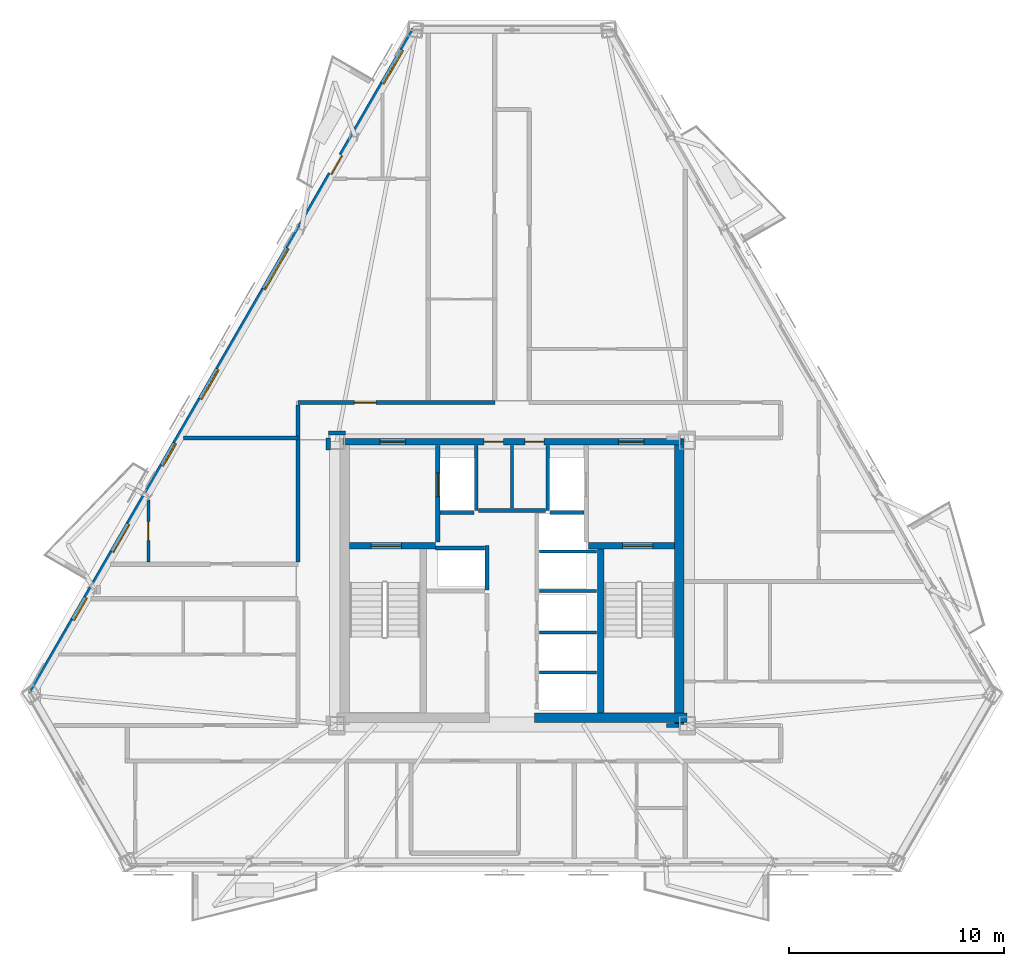
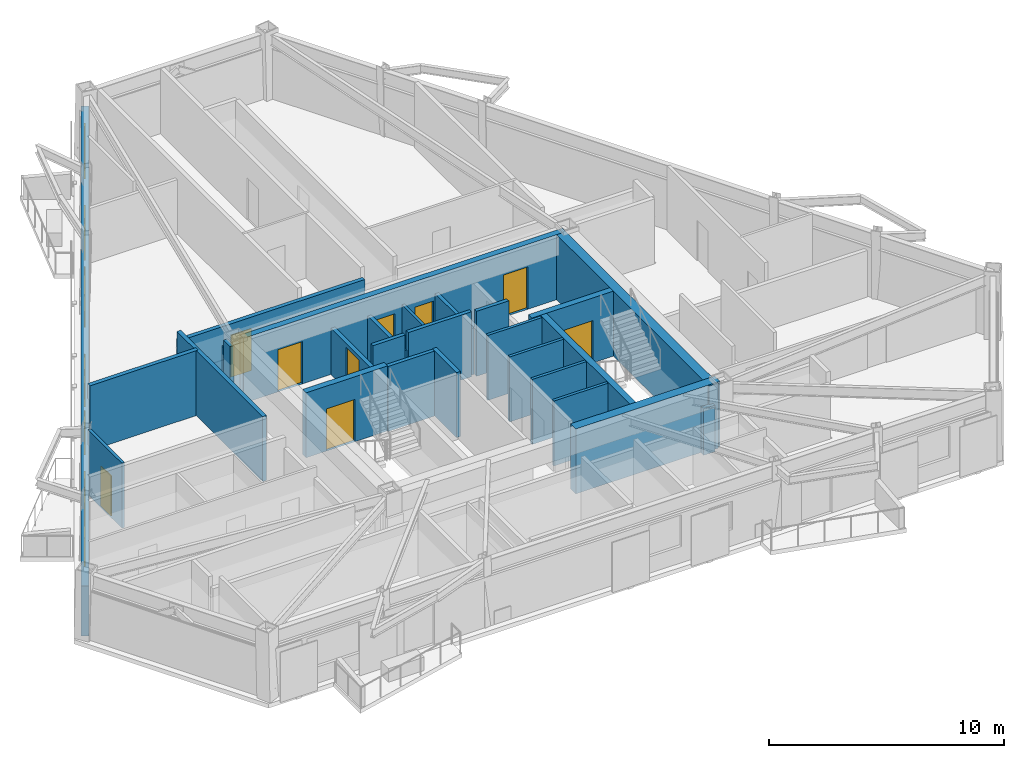
# One storey, part 4 of 9: 27 walls, 11 doors, 5 windows, 16 openings.
"""IFC4 building model written with IfcOpenShell, lengths in metres."""

from ifc_helpers import new_model, si_unit, direction, frame, frame_2d, origin, place, context, subcontext, project, spatial, rectangle, extrude, material, layer, layer_set, type_object, element, fill, save


model = new_model("IFC4")

# Units and contexts
model_context = context("Model", 3, precision=1e-05, world=origin(), true_north=direction((0.0, 1.0)))
body_context = subcontext(model_context, "Body", "Model", "MODEL_VIEW")
ifc_project = project(units=[si_unit("LENGTHUNIT", "METRE"), si_unit("AREAUNIT", "SQUARE_METRE"), si_unit("VOLUMEUNIT", "CUBIC_METRE"), si_unit("PLANEANGLEUNIT", "RADIAN"), si_unit("MASSUNIT", "GRAM", prefix="KILO")], contexts=[model_context])

# Site, building, storey
site_placement = place(None, origin())
site = spatial("IfcSite", under=ifc_project, at=site_placement, CompositionType="ELEMENT")
building_placement = place(site_placement, origin())
building = spatial("IfcBuilding", under=site, at=building_placement, Name="Oramaril Tower", CompositionType="ELEMENT")
storey_placement = place(building_placement, frame((0.0, 0.0, 160.199951171875)))
storey = spatial("IfcBuildingStorey", under=building, at=storey_placement, Name="L42", CompositionType="ELEMENT", Elevation=160.199951171875)

# Wall, openings, doors, windows
ifc_material_1 = material(Name="Warm Cream Limestone", Category="masonry")
ifc_layer_1 = layer(ifc_material_1, 0.340087890625)
ifc_layer_set_1 = layer_set([ifc_layer_1], Name="WT-EXT34")
wall_type_1 = type_object("IfcWallType", Name="WT-EXT34", PredefinedType="SOLIDWALL", material=ifc_layer_set_1)
wall_1_placement = place(storey_placement, frame((32.983154296875, 43.303466796875, 0.0), z_axis=(0.0, 0.0, 1.0), x_axis=(-0.499995364632, -0.866028079999, 0.0)))
wall_1 = element("IfcWall", 1, at=wall_1_placement, inside=storey, type_object=wall_type_1, Name="L42 Tower Limestone Facade Wall 6M", PredefinedType="SOLIDWALL", context=body_context, shape_type="SweptSolid", body=[
    extrude(rectangle(XDim=35.672607421875, YDim=0.340087890625, at=frame_2d((17.83642578125, 0.0))), origin(), (0.0, 0.0, 1.0), 2.60009765625),
])
opening_1_placement = place(wall_1_placement, frame((6.759521484375, 0.0, 0.0)))
opening_1 = element("IfcOpeningElement", 2, at=opening_1_placement, cuts=wall_1, Name="Opening D-L42-BAL-NW1", PredefinedType="OPENING", context=body_context, shape_type="SweptSolid", body=[
    extrude(rectangle(XDim=1.0, YDim=2.179931640625, at=frame_2d((0.5, 1.08984375))), frame((0.0, 0.169921875, 0.0), z_axis=(0.0, -1.0, 0.0), x_axis=(1.0, 0.0, 0.0)), (0.0, 0.0, 1.0), 0.340087890625),
])
opening_2_placement = place(wall_1_placement, frame((26.55810546875, 0.0, 0.0)))
opening_2 = element("IfcOpeningElement", 3, at=opening_2_placement, cuts=wall_1, Name="Opening D-L42-BAL-NW2", PredefinedType="OPENING", context=body_context, shape_type="SweptSolid", body=[
    extrude(rectangle(XDim=1.5, YDim=2.199951171875, at=frame_2d((0.75, 1.10009765625))), frame((0.0, 0.169921875, 0.0), z_axis=(0.0, -1.0, 0.0), x_axis=(1.0, 0.0, 0.0)), (0.0, 0.0, 1.0), 0.340087890625),
])
opening_3_placement = place(wall_1_placement, frame((22.230712890625, 0.0, 0.85009765625)))
opening_3 = element("IfcOpeningElement", 4, at=opening_3_placement, cuts=wall_1, Name="Opening WN-09", PredefinedType="OPENING", context=body_context, shape_type="SweptSolid", body=[
    extrude(rectangle(XDim=1.199951171875, YDim=1.47998046875, at=frame_2d((0.60009765625, 0.739990234375))), frame((0.0, 0.169921875, 0.0), z_axis=(0.0, -1.0, 0.0), x_axis=(1.0, 0.0, 0.0)), (0.0, 0.0, 1.0), 0.340087890625),
])
opening_4_placement = place(wall_1_placement, frame((11.75830078125, 0.0, 0.85009765625)))
opening_4 = element("IfcOpeningElement", 5, at=opening_4_placement, cuts=wall_1, Name="Opening WN-04", PredefinedType="OPENING", context=body_context, shape_type="SweptSolid", body=[
    extrude(rectangle(XDim=2.199951171875, YDim=1.639892578125, at=frame_2d((1.10009765625, 0.81982421875))), frame((0.0, 0.169921875, 0.0), z_axis=(0.0, -1.0, 0.0), x_axis=(1.0, 0.0, 0.0)), (0.0, 0.0, 1.0), 0.340087890625),
])
opening_5_placement = place(wall_1_placement, frame((18.257080078125, 0.0, 0.85009765625)))
opening_5 = element("IfcOpeningElement", 6, at=opening_5_placement, cuts=wall_1, Name="Opening WN-07", PredefinedType="OPENING", context=body_context, shape_type="SweptSolid", body=[
    extrude(rectangle(XDim=1.60009765625, YDim=1.639892578125, at=frame_2d((0.800048828125, 0.81982421875))), frame((0.0, 0.169921875, 0.0), z_axis=(0.0, -1.0, 0.0), x_axis=(1.0, 0.0, 0.0)), (0.0, 0.0, 1.0), 0.340087890625),
])
opening_6_placement = place(wall_1_placement, frame((1.108154296875, 0.0, 0.85009765625)))
opening_6 = element("IfcOpeningElement", 7, at=opening_6_placement, cuts=wall_1, Name="Opening WN-06", PredefinedType="OPENING", context=body_context, shape_type="SweptSolid", body=[
    extrude(rectangle(XDim=1.800048828125, YDim=1.639892578125, at=frame_2d((0.89990234375, 0.81982421875))), frame((0.0, 0.169921875, 0.0), z_axis=(0.0, -1.0, 0.0), x_axis=(1.0, 0.0, 0.0)), (0.0, 0.0, 1.0), 0.340087890625),
])
opening_7_placement = place(wall_1_placement, frame((30.512939453125, 0.0, 0.85009765625)))
opening_7 = element("IfcOpeningElement", 8, at=opening_7_placement, cuts=wall_1, Name="Opening WN-09", PredefinedType="OPENING", context=body_context, shape_type="SweptSolid", body=[
    extrude(rectangle(XDim=1.199951171875, YDim=1.47998046875, at=frame_2d((0.60009765625, 0.739990234375))), frame((0.0, 0.169921875, 0.0), z_axis=(0.0, -1.0, 0.0), x_axis=(1.0, 0.0, 0.0)), (0.0, 0.0, 1.0), 0.340087890625),
])
ifc_material_2 = material(Name="Anodised Aluminium 6063-T6", Category="aluminium")
door_type_1 = type_object("IfcDoorType", Name="DT-BAL", OperationType="NOTDEFINED", PredefinedType="DOOR", material=ifc_material_2)
door_1_placement = place(opening_2_placement, origin())
door_1 = element("IfcDoor", 9, at=door_1_placement, inside=storey, type_object=door_type_1, Name="L42 Balcony Glazed Door L42-BAL-NW2", OperationType="SINGLE_SWING_RIGHT", OverallHeight=2.199951171875, OverallWidth=1.5, PredefinedType="DOOR", context=body_context, shape_type="SweptSolid", body=[
    extrude(rectangle(XDim=1.5, YDim=2.199951171875, at=frame_2d((0.75, 1.10009765625))), frame((0.0, 0.02490234375, 0.0), z_axis=(0.0, -1.0, 0.0), x_axis=(1.0, 0.0, 0.0)), (0.0, 0.0, 1.0), 0.050048828125),
])
fill(opening_2, door_1)
ifc_material_3 = material(Name="Anodised Aluminium 6063-T6", Category="aluminium")
door_type_2 = type_object("IfcDoorType", Name="DT-BALN", OperationType="NOTDEFINED", PredefinedType="DOOR", material=ifc_material_3)
door_2_placement = place(opening_1_placement, origin())
door_2 = element("IfcDoor", 10, at=door_2_placement, inside=storey, type_object=door_type_2, Name="L42 Balcony Glazed Door L42-BAL-NW1", OperationType="SINGLE_SWING_LEFT", OverallHeight=2.179931640625, OverallWidth=1.0, PredefinedType="DOOR", context=body_context, shape_type="SweptSolid", body=[
    extrude(rectangle(XDim=1.0, YDim=2.179931640625, at=frame_2d((0.5, 1.08984375))), frame((0.0, 0.02490234375, 0.0), z_axis=(0.0, -1.0, 0.0), x_axis=(1.0, 0.0, 0.0)), (0.0, 0.0, 1.0), 0.050048828125),
])
fill(opening_1, door_2)
ifc_material_4 = material(Name="Coastal Low-E Insulated Glass", Category="glass")
window_type_1 = type_object("IfcWindowType", Name="WNT-04", PartitioningType="SINGLE_PANEL", PredefinedType="WINDOW", material=ifc_material_4)
window_1_placement = place(opening_4_placement, origin())
window_1 = element("IfcWindow", 11, at=window_1_placement, inside=storey, type_object=window_type_1, Name="L42 Chicago Bay Window WN-04", OverallHeight=1.639892578125, OverallWidth=2.199951171875, PartitioningType="SINGLE_PANEL", PredefinedType="WINDOW", context=body_context, shape_type="SweptSolid", body=[
    extrude(rectangle(XDim=2.199951171875, YDim=1.639892578125, at=frame_2d((1.10009765625, 0.81982421875))), frame((0.0, 0.030029296875, 0.0), z_axis=(0.0, -1.0, 0.0), x_axis=(1.0, 0.0, 0.0)), (0.0, 0.0, 1.0), 0.06005859375),
])
fill(opening_4, window_1)
ifc_material_5 = material(Name="Coastal Low-E Insulated Glass", Category="glass")
window_type_2 = type_object("IfcWindowType", Name="WNT-06", PartitioningType="SINGLE_PANEL", PredefinedType="WINDOW", material=ifc_material_5)
window_2_placement = place(opening_6_placement, origin())
window_2 = element("IfcWindow", 12, at=window_2_placement, inside=storey, type_object=window_type_2, Name="L42 Chicago Bay Window WN-06", OverallHeight=1.639892578125, OverallWidth=1.800048828125, PartitioningType="SINGLE_PANEL", PredefinedType="WINDOW", context=body_context, shape_type="SweptSolid", body=[
    extrude(rectangle(XDim=1.800048828125, YDim=1.639892578125, at=frame_2d((0.89990234375, 0.81982421875))), frame((0.0, 0.030029296875, 0.0), z_axis=(0.0, -1.0, 0.0), x_axis=(1.0, 0.0, 0.0)), (0.0, 0.0, 1.0), 0.06005859375),
])
fill(opening_6, window_2)
ifc_material_6 = material(Name="Coastal Low-E Insulated Glass", Category="glass")
window_type_3 = type_object("IfcWindowType", Name="WNT-07", PartitioningType="SINGLE_PANEL", PredefinedType="WINDOW", material=ifc_material_6)
window_3_placement = place(opening_5_placement, origin())
window_3 = element("IfcWindow", 13, at=window_3_placement, inside=storey, type_object=window_type_3, Name="L42 Chicago Bay Window WN-07", OverallHeight=1.639892578125, OverallWidth=1.60009765625, PartitioningType="SINGLE_PANEL", PredefinedType="WINDOW", context=body_context, shape_type="SweptSolid", body=[
    extrude(rectangle(XDim=1.60009765625, YDim=1.639892578125, at=frame_2d((0.800048828125, 0.81982421875))), frame((0.0, 0.030029296875, 0.0), z_axis=(0.0, -1.0, 0.0), x_axis=(1.0, 0.0, 0.0)), (0.0, 0.0, 1.0), 0.06005859375),
])
fill(opening_5, window_3)
ifc_material_7 = material(Name="Coastal Low-E Insulated Glass", Category="glass")
window_type_4 = type_object("IfcWindowType", Name="WNT-09", PartitioningType="SINGLE_PANEL", PredefinedType="WINDOW", material=ifc_material_7)
window_4_placement = place(opening_3_placement, origin())
window_4 = element("IfcWindow", 14, at=window_4_placement, inside=storey, type_object=window_type_4, Name="L42 Chicago Bay Window WN-09", OverallHeight=1.47998046875, OverallWidth=1.199951171875, PartitioningType="SINGLE_PANEL", PredefinedType="WINDOW", context=body_context, shape_type="SweptSolid", body=[
    extrude(rectangle(XDim=1.199951171875, YDim=1.47998046875, at=frame_2d((0.60009765625, 0.739990234375))), frame((0.0, 0.030029296875, 0.0), z_axis=(0.0, -1.0, 0.0), x_axis=(1.0, 0.0, 0.0)), (0.0, 0.0, 1.0), 0.06005859375),
])
fill(opening_3, window_4)
window_5_placement = place(opening_7_placement, origin())
window_5 = element("IfcWindow", 15, at=window_5_placement, inside=storey, type_object=window_type_4, Name="L42 Apartment Bedroom Window WN-09", OverallHeight=1.47998046875, OverallWidth=1.199951171875, PartitioningType="SINGLE_PANEL", PredefinedType="WINDOW", context=body_context, shape_type="SweptSolid", body=[
    extrude(rectangle(XDim=1.199951171875, YDim=1.47998046875, at=frame_2d((0.60009765625, 0.739990234375))), frame((0.0, 0.030029296875, 0.0), z_axis=(0.0, -1.0, 0.0), x_axis=(1.0, 0.0, 0.0)), (0.0, 0.0, 1.0), 0.06005859375),
])
fill(opening_7, window_5)

# Walls
ifc_material_8 = material(Name="Acoustic Gypsum Board Partition")
ifc_layer_2 = layer(ifc_material_8, 0.139892578125)
ifc_layer_set_2 = layer_set([ifc_layer_2], Name="WT-PT14")
wall_type_2 = type_object("IfcWallType", Name="WT-PT14", PredefinedType="PARTITIONING", material=ifc_layer_set_2)
for number, where, z_axis, x_axis, name in (
    (16, (38.780029296875, 13.419921875, 0.0), (0.0, 0.0, 1.0), (1.0, 0.0, 0.0), "L42 East Lift Divider"),
    (17, (38.780029296875, 15.27001953125, 0.0), (0.0, 0.0, 1.0), (1.0, 0.0, 0.0), "L42 East Lift Divider"),
    (18, (38.780029296875, 17.199951171875, 0.0), (0.0, 0.0, 1.0), (1.0, 0.0, 0.0), "L42 East Lift Divider"),
    (19, (38.780029296875, 19.050048828125, 0.0), (0.0, 0.0, 1.0), (1.0, 0.0, 0.0), "L42 East Lift Divider"),
):
    element("IfcWall", number, at=place(storey_placement, frame(where, z_axis=z_axis, x_axis=x_axis)), inside=storey, type_object=wall_type_2, Name=name, PredefinedType="PARTITIONING", context=body_context, shape_type="SweptSolid", body=[
        extrude(rectangle(XDim=2.659912109375, YDim=0.139892578125, at=frame_2d((1.330078125, 0.0))), origin(), (0.0, 0.0, 1.0), 3.380126953125),
    ])
wall_2_placement = place(storey_placement, frame((37.5, 21.06005859375, 0.0), z_axis=(0.0, 0.0, 1.0), x_axis=(0.0, 1.0, 0.0)))
element("IfcWall", 20, at=wall_2_placement, inside=storey, type_object=wall_type_2, Name="L42 Core Service Divider", PredefinedType="PARTITIONING", context=body_context, shape_type="SweptSolid", body=[
    extrude(rectangle(XDim=2.919921875, YDim=0.139892578125, at=frame_2d((1.4599609375, 0.0))), origin(), (0.0, 0.0, 1.0), 2.420166015625),
])

# Wall, opening, door
wall_3_placement = place(storey_placement, frame((20.590087890625, 18.553955078125, 0.0), z_axis=(0.0, 0.0, 1.0), x_axis=(0.0, 1.0, 0.0)))
wall_3 = element("IfcWall", 21, at=wall_3_placement, inside=storey, type_object=wall_type_2, Name="L42 Interior Partition PT-14", PredefinedType="PARTITIONING", context=body_context, shape_type="SweptSolid", body=[
    extrude(rectangle(XDim=2.885009765625, YDim=0.139892578125, at=frame_2d((1.4423828125, 0.0))), origin(), (0.0, 0.0, 1.0), 3.380126953125),
])
opening_8_placement = place(wall_3_placement, frame((1.002685546875, 0.0, 0.0)))
opening_8 = element("IfcOpeningElement", 22, at=opening_8_placement, cuts=wall_3, Name="Opening D-L42-21", PredefinedType="OPENING", context=body_context, shape_type="SweptSolid", body=[
    extrude(rectangle(XDim=0.8798828125, YDim=2.080078125, at=frame_2d((0.43994140625, 1.0400390625))), frame((0.0, 0.06982421875, 0.0), z_axis=(0.0, -1.0, 0.0), x_axis=(1.0, 0.0, 0.0)), (0.0, 0.0, 1.0), 0.139892578125),
])
ifc_material_9 = material(Name="FSC Brazilian Freijo Hardwood", Category="wood")
door_type_3 = type_object("IfcDoorType", Name="DT-BATH", OperationType="NOTDEFINED", PredefinedType="DOOR", material=ifc_material_9)
door_3_placement = place(opening_8_placement, origin())
door_3 = element("IfcDoor", 23, at=door_3_placement, inside=storey, type_object=door_type_3, Name="L42 Flat L42-U5 Bathroom Door D-L42-21", OperationType="SINGLE_SWING_LEFT", OverallHeight=2.080078125, OverallWidth=0.8798828125, PredefinedType="DOOR", context=body_context, shape_type="SweptSolid", body=[
    extrude(rectangle(XDim=0.8798828125, YDim=2.080078125, at=frame_2d((0.43994140625, 1.0400390625))), frame((0.0, 0.02490234375, 0.0), z_axis=(0.0, -1.0, 0.0), x_axis=(1.0, 0.0, 0.0)), (0.0, 0.0, 1.0), 0.050048828125),
])
fill(opening_8, door_3)

# Walls
ifc_material_10 = material(Name="Autoclaved Cellular Concrete Block", Category="concrete")
ifc_layer_3 = layer(ifc_material_10, 0.179931640625)
ifc_layer_set_3 = layer_set([ifc_layer_3], Name="WT-PT18")
wall_type_3 = type_object("IfcWallType", Name="WT-PT18", PredefinedType="PARTITIONING", material=ifc_layer_set_3)
wall_4_placement = place(storey_placement, frame((35.840087890625, 20.9599609375, 0.0), z_axis=(0.0, 0.0, 1.0), x_axis=(0.0, 1.0, 0.0)))
element("IfcWall", 24, at=wall_4_placement, inside=storey, type_object=wall_type_3, Name="L42 FL-1 East Shaft Wall", PredefinedType="PARTITIONING", context=body_context, shape_type="SweptSolid", body=[
    extrude(rectangle(XDim=3.02001953125, YDim=0.179931640625, at=frame_2d((1.510009765625, 0.0))), origin(), (0.0, 0.0, 1.0), 2.420166015625),
])
wall_5_placement = place(storey_placement, frame((34.159912109375, 20.860107421875, 0.0), z_axis=(0.0, 0.0, 1.0), x_axis=(1.0, 0.0, 0.0)))
element("IfcWall", 25, at=wall_5_placement, inside=storey, type_object=wall_type_3, Name="L42 FL-1 South Shaft Wall", PredefinedType="PARTITIONING", context=body_context, shape_type="SweptSolid", body=[
    extrude(rectangle(XDim=1.580078125, YDim=0.179931640625, at=frame_2d((0.7900390625, 0.0))), origin(), (0.0, 0.0, 1.0), 3.380126953125),
])
wall_6_placement = place(storey_placement, frame((39.159912109375, 20.9599609375, 0.0), z_axis=(0.0, 0.0, 1.0), x_axis=(0.0, 1.0, 0.0)))
element("IfcWall", 26, at=wall_6_placement, inside=storey, type_object=wall_type_3, Name="L42 FL-2 West Shaft Wall", PredefinedType="PARTITIONING", context=body_context, shape_type="SweptSolid", body=[
    extrude(rectangle(XDim=3.02001953125, YDim=0.179931640625, at=frame_2d((1.510009765625, 0.0))), origin(), (0.0, 0.0, 1.0), 2.420166015625),
])
wall_7_placement = place(storey_placement, frame((39.260009765625, 20.860107421875, 0.0), z_axis=(0.0, 0.0, 1.0), x_axis=(1.0, 0.0, 0.0)))
element("IfcWall", 27, at=wall_7_placement, inside=storey, type_object=wall_type_3, Name="L42 FL-2 South Shaft Wall", PredefinedType="PARTITIONING", context=body_context, shape_type="SweptSolid", body=[
    extrude(rectangle(XDim=1.580078125, YDim=0.179931640625, at=frame_2d((0.7900390625, 0.0))), origin(), (0.0, 0.0, 1.0), 3.380126953125),
])
wall_8_placement = place(storey_placement, frame((33.949951171875, 19.199951171875, 0.0), z_axis=(0.0, 0.0, 1.0), x_axis=(1.0, 0.0, 0.0)))
element("IfcWall", 28, at=wall_8_placement, inside=storey, type_object=wall_type_3, Name="L42 High-Rise Lift H1 North Shaft Wall", PredefinedType="PARTITIONING", context=body_context, shape_type="SweptSolid", body=[
    extrude(rectangle(XDim=2.27001953125, YDim=0.179931640625, at=frame_2d((1.135009765625, 0.0))), origin(), (0.0, 0.0, 1.0), 3.380126953125),
])
wall_9_placement = place(storey_placement, frame((35.949951171875, 20.949951171875, 0.0), z_axis=(0.0, 0.0, 1.0), x_axis=(1.0, 0.0, 0.0)))
element("IfcWall", 29, at=wall_9_placement, inside=storey, type_object=wall_type_3, Name="L42 Lift Lobby North Partition", PredefinedType="PARTITIONING", context=body_context, shape_type="SweptSolid", body=[
    extrude(rectangle(XDim=3.10009765625, YDim=0.179931640625, at=frame_2d((1.550048828125, 0.0))), origin(), (0.0, 0.0, 1.0), 3.380126953125),
])
ifc_material_11 = material(Name="Autoclaved Cellular Concrete Block", Category="concrete")
ifc_layer_4 = layer(ifc_material_11, 0.199951171875)
ifc_layer_set_4 = layer_set([ifc_layer_4], Name="WT-PT20")
wall_type_4 = type_object("IfcWallType", Name="WT-PT20", PredefinedType="PARTITIONING", material=ifc_layer_set_4)
wall_10_placement = place(storey_placement, frame((44.695068359375, 10.949951171875, 0.0), z_axis=(0.0, 0.0, 1.0), x_axis=(1.0, 0.0, 0.0)))
element("IfcWall", 30, at=wall_10_placement, inside=storey, type_object=wall_type_4, Name="L42 Interior Partition PT-20", PredefinedType="PARTITIONING", context=body_context, shape_type="SweptSolid", body=[
    extrude(rectangle(XDim=0.56494140625, YDim=0.199951171875, at=frame_2d((0.282470703125, 0.0))), origin(), (0.0, 0.0, 1.0), 2.420166015625),
])
wall_11_placement = place(storey_placement, frame((22.22412109375, 24.320068359375, 0.0), z_axis=(0.0, 0.0, 1.0), x_axis=(1.0, 0.0, 0.0)))
element("IfcWall", 31, at=wall_11_placement, inside=storey, type_object=wall_type_4, Name="L42 Interior Partition PT-20", PredefinedType="PARTITIONING", context=body_context, shape_type="SweptSolid", body=[
    extrude(rectangle(XDim=5.325927734375, YDim=0.199951171875, at=frame_2d((2.6630859375, 0.0))), origin(), (0.0, 0.0, 1.0), 3.380126953125),
])
wall_12_placement = place(storey_placement, frame((28.955078125, 24.550048828125, 0.0), z_axis=(0.0, 0.0, 1.0), x_axis=(1.0, 0.0, 0.0)))
element("IfcWall", 32, at=wall_12_placement, inside=storey, type_object=wall_type_4, Name="L42 Interior Partition PT-20", PredefinedType="PARTITIONING", context=body_context, shape_type="SweptSolid", body=[
    extrude(rectangle(XDim=0.7900390625, YDim=0.199951171875, at=frame_2d((0.39501953125, 0.0))), origin(), (0.0, 0.0, 1.0), 2.842041015625),
])

# Wall, opening, door
wall_13_placement = place(storey_placement, frame((27.550048828125, 25.969970703125, 0.0), z_axis=(0.0, 0.0, 1.0), x_axis=(1.0, 0.0, 0.0)))
wall_13 = element("IfcWall", 33, at=wall_13_placement, inside=storey, type_object=wall_type_4, Name="L42 Interior Partition PT-20", PredefinedType="PARTITIONING", context=body_context, shape_type="SweptSolid", body=[
    extrude(rectangle(XDim=9.14990234375, YDim=0.199951171875, at=frame_2d((4.574951171875, 0.0))), origin(), (0.0, 0.0, 1.0), 2.842041015625),
])
opening_9_placement = place(wall_13_placement, frame((2.618896484375, 0.0, 0.0)))
opening_9 = element("IfcOpeningElement", 34, at=opening_9_placement, cuts=wall_13, Name="Opening D-L42-14", PredefinedType="OPENING", context=body_context, shape_type="SweptSolid", body=[
    extrude(rectangle(XDim=1.0, YDim=2.179931640625, at=frame_2d((0.5, 1.08984375))), frame((0.0, 0.10009765625, 0.0), z_axis=(0.0, -1.0, 0.0), x_axis=(1.0, 0.0, 0.0)), (0.0, 0.0, 1.0), 0.199951171875),
])
ifc_material_12 = material(Name="FSC Brazilian Freijo Hardwood", Category="wood")
door_type_4 = type_object("IfcDoorType", Name="DT-APT", OperationType="NOTDEFINED", PredefinedType="DOOR", material=ifc_material_12)
door_4_placement = place(opening_9_placement, origin())
door_4 = element("IfcDoor", 35, at=door_4_placement, inside=storey, type_object=door_type_4, Name="L42 Flat L42-U8 Studio Apartment Door D-L42-14", OperationType="SINGLE_SWING_RIGHT", OverallHeight=2.179931640625, OverallWidth=1.0, PredefinedType="DOOR", context=body_context, shape_type="SweptSolid", body=[
    extrude(rectangle(XDim=1.0, YDim=2.179931640625, at=frame_2d((0.5, 1.08984375))), frame((0.0, 0.02490234375, 0.0), z_axis=(0.0, -1.0, 0.0), x_axis=(1.0, 0.0, 0.0)), (0.0, 0.0, 1.0), 0.050048828125),
])
fill(opening_9, door_4)

# Walls
wall_14_placement = place(storey_placement, frame((27.550048828125, 18.553955078125, 0.0), z_axis=(0.0, 0.0, 1.0), x_axis=(0.0, 1.0, 0.0)))
element("IfcWall", 36, at=wall_14_placement, inside=storey, type_object=wall_type_4, Name="L42 Interior Partition PT-20", PredefinedType="PARTITIONING", context=body_context, shape_type="SweptSolid", body=[
    extrude(rectangle(XDim=7.31201171875, YDim=0.199951171875, at=frame_2d((3.656005859375, 0.0))), origin(), (0.0, 0.0, 1.0), 3.380126953125),
])
wall_15_placement = place(storey_placement, frame((28.949951171875, 23.7548828125, 0.0), z_axis=(0.0, 0.0, 1.0), x_axis=(0.0, 1.0, 0.0)))
element("IfcWall", 37, at=wall_15_placement, inside=storey, type_object=wall_type_4, Name="L42 Interior Partition PT-20", PredefinedType="PARTITIONING", context=body_context, shape_type="SweptSolid", body=[
    extrude(rectangle(XDim=0.565185546875, YDim=0.199951171875, at=frame_2d((0.28271484375, 0.0))), origin(), (0.0, 0.0, 1.0), 3.380126953125),
])

# Wall, openings, doors
ifc_material_13 = material(Name="Concrete C50/60", Category="concrete")
ifc_layer_5 = layer(ifc_material_13, 0.300048828125)
ifc_layer_set_5 = layer_set([ifc_layer_5], Name="WT-SH30")
wall_type_5 = type_object("IfcWallType", Name="WT-SH30", PredefinedType="SHEAR", material=ifc_layer_set_5)
wall_16_placement = place(storey_placement, frame((29.64990234375, 24.14990234375, 0.0), z_axis=(0.0, 0.0, 1.0), x_axis=(1.0, 0.0, 0.0)))
wall_16 = element("IfcWall", 38, at=wall_16_placement, inside=storey, type_object=wall_type_5, Name="L42 Core Shear Wall CW-N", PredefinedType="SHEAR", context=body_context, shape_type="SweptSolid", body=[
    extrude(rectangle(XDim=15.7001953125, YDim=0.300048828125, at=frame_2d((7.85009765625, 0.0))), origin(), (0.0, 0.0, 1.0), 3.380126953125),
])
opening_10_placement = place(wall_16_placement, frame((1.699951171875, 0.0, 0.0)))
opening_10 = element("IfcOpeningElement", 39, at=opening_10_placement, cuts=wall_16, Name="Opening D-L42-FFL1", PredefinedType="OPENING", context=body_context, shape_type="SweptSolid", body=[
    extrude(rectangle(XDim=1.199951171875, YDim=2.199951171875, at=frame_2d((0.60009765625, 1.10009765625))), frame((0.0, 0.14990234375, 0.0), z_axis=(0.0, -1.0, 0.0), x_axis=(1.0, 0.0, 0.0)), (0.0, 0.0, 1.0), 0.300048828125),
])
opening_11_placement = place(wall_16_placement, frame((12.800048828125, 0.0, 0.0)))
opening_11 = element("IfcOpeningElement", 40, at=opening_11_placement, cuts=wall_16, Name="Opening D-L42-FFL2", PredefinedType="OPENING", context=body_context, shape_type="SweptSolid", body=[
    extrude(rectangle(XDim=1.199951171875, YDim=2.199951171875, at=frame_2d((0.60009765625, 1.10009765625))), frame((0.0, 0.14990234375, 0.0), z_axis=(0.0, -1.0, 0.0), x_axis=(1.0, 0.0, 0.0)), (0.0, 0.0, 1.0), 0.300048828125),
])
opening_12_placement = place(wall_16_placement, frame((6.550048828125, 0.0, 0.0)))
opening_12 = element("IfcOpeningElement", 41, at=opening_12_placement, cuts=wall_16, Name="Opening D-L42-SV1", PredefinedType="OPENING", context=body_context, shape_type="SweptSolid", body=[
    extrude(rectangle(XDim=0.89990234375, YDim=2.050048828125, at=frame_2d((0.449951171875, 1.02490234375))), frame((0.0, 0.14990234375, 0.0), z_axis=(0.0, -1.0, 0.0), x_axis=(1.0, 0.0, 0.0)), (0.0, 0.0, 1.0), 0.300048828125),
])
opening_13_placement = place(wall_16_placement, frame((8.449951171875, 0.0, 0.0)))
opening_13 = element("IfcOpeningElement", 42, at=opening_13_placement, cuts=wall_16, Name="Opening D-L42-SV2", PredefinedType="OPENING", context=body_context, shape_type="SweptSolid", body=[
    extrude(rectangle(XDim=0.89990234375, YDim=2.050048828125, at=frame_2d((0.449951171875, 1.02490234375))), frame((0.0, 0.14990234375, 0.0), z_axis=(0.0, -1.0, 0.0), x_axis=(1.0, 0.0, 0.0)), (0.0, 0.0, 1.0), 0.300048828125),
])
ifc_material_14 = material(Name="Painted Galvanised Steel", Category="steel")
door_type_5 = type_object("IfcDoorType", Name="DT-FFL", OperationType="NOTDEFINED", PredefinedType="DOOR", material=ifc_material_14)
door_5_placement = place(opening_10_placement, origin())
door_5 = element("IfcDoor", 43, at=door_5_placement, inside=storey, type_object=door_type_5, Name="L42 Firefighting Lobby 1 Fire Door", OperationType="SINGLE_SWING_LEFT", OverallHeight=2.199951171875, OverallWidth=1.199951171875, PredefinedType="DOOR", context=body_context, shape_type="SweptSolid", body=[
    extrude(rectangle(XDim=1.199951171875, YDim=2.199951171875, at=frame_2d((0.60009765625, 1.10009765625))), frame((0.0, 0.02490234375, 0.0), z_axis=(0.0, -1.0, 0.0), x_axis=(1.0, 0.0, 0.0)), (0.0, 0.0, 1.0), 0.050048828125),
])
fill(opening_10, door_5)
door_6_placement = place(opening_11_placement, origin())
door_6 = element("IfcDoor", 44, at=door_6_placement, inside=storey, type_object=door_type_5, Name="L42 Firefighting Lobby 2 Fire Door", OperationType="SINGLE_SWING_RIGHT", OverallHeight=2.199951171875, OverallWidth=1.199951171875, PredefinedType="DOOR", context=body_context, shape_type="SweptSolid", body=[
    extrude(rectangle(XDim=1.199951171875, YDim=2.199951171875, at=frame_2d((0.60009765625, 1.10009765625))), frame((0.0, 0.02490234375, 0.0), z_axis=(0.0, -1.0, 0.0), x_axis=(1.0, 0.0, 0.0)), (0.0, 0.0, 1.0), 0.050048828125),
])
fill(opening_11, door_6)
ifc_material_15 = material(Name="Painted Galvanised Steel", Category="steel")
door_type_6 = type_object("IfcDoorType", Name="DT-SVC", OperationType="NOTDEFINED", PredefinedType="DOOR", material=ifc_material_15)
door_7_placement = place(opening_12_placement, origin())
door_7 = element("IfcDoor", 45, at=door_7_placement, inside=storey, type_object=door_type_6, Name="L42 Core Service Store 1 Door", OperationType="SINGLE_SWING_LEFT", OverallHeight=2.050048828125, OverallWidth=0.89990234375, PredefinedType="DOOR", context=body_context, shape_type="SweptSolid", body=[
    extrude(rectangle(XDim=0.89990234375, YDim=2.050048828125, at=frame_2d((0.449951171875, 1.02490234375))), frame((0.0, 0.02490234375, 0.0), z_axis=(0.0, -1.0, 0.0), x_axis=(1.0, 0.0, 0.0)), (0.0, 0.0, 1.0), 0.050048828125),
])
fill(opening_12, door_7)
door_8_placement = place(opening_13_placement, origin())
door_8 = element("IfcDoor", 46, at=door_8_placement, inside=storey, type_object=door_type_6, Name="L42 Core Service Store 2 Door", OperationType="SINGLE_SWING_RIGHT", OverallHeight=2.050048828125, OverallWidth=0.89990234375, PredefinedType="DOOR", context=body_context, shape_type="SweptSolid", body=[
    extrude(rectangle(XDim=0.89990234375, YDim=2.050048828125, at=frame_2d((0.449951171875, 1.02490234375))), frame((0.0, 0.02490234375, 0.0), z_axis=(0.0, -1.0, 0.0), x_axis=(1.0, 0.0, 0.0)), (0.0, 0.0, 1.0), 0.050048828125),
])
fill(opening_13, door_8)

# Wall, opening, door
wall_17_placement = place(storey_placement, frame((29.93994140625, 19.31005859375, 0.0), z_axis=(0.0, 0.0, 1.0), x_axis=(1.0, 0.0, 0.0)))
wall_17 = element("IfcWall", 47, at=wall_17_placement, inside=storey, type_object=wall_type_5, Name="L42 Core Shear Wall CW-ST1N", PredefinedType="SHEAR", context=body_context, shape_type="SweptSolid", body=[
    extrude(rectangle(XDim=4.010009765625, YDim=0.300048828125, at=frame_2d((2.0048828125, 0.0))), origin(), (0.0, 0.0, 1.0), 3.380126953125),
])
opening_14_placement = place(wall_17_placement, frame((1.010009765625, 0.0, 0.0)))
opening_14 = element("IfcOpeningElement", 48, at=opening_14_placement, cuts=wall_17, Name="Opening D-L42-ST1", PredefinedType="OPENING", context=body_context, shape_type="SweptSolid", body=[
    extrude(rectangle(XDim=1.39990234375, YDim=2.199951171875, at=frame_2d((0.699951171875, 1.10009765625))), frame((0.0, 0.14990234375, 0.0), z_axis=(0.0, -1.0, 0.0), x_axis=(1.0, 0.0, 0.0)), (0.0, 0.0, 1.0), 0.300048828125),
])
ifc_material_16 = material(Name="Painted Galvanised Steel", Category="steel")
door_type_7 = type_object("IfcDoorType", Name="DT-ST", OperationType="NOTDEFINED", PredefinedType="DOOR", material=ifc_material_16)
door_9_placement = place(opening_14_placement, origin())
door_9 = element("IfcDoor", 49, at=door_9_placement, inside=storey, type_object=door_type_7, Name="L42 Protected Stair ST-1 Fire Door", OperationType="SINGLE_SWING_LEFT", OverallHeight=2.199951171875, OverallWidth=1.39990234375, PredefinedType="DOOR", context=body_context, shape_type="SweptSolid", body=[
    extrude(rectangle(XDim=1.39990234375, YDim=2.199951171875, at=frame_2d((0.699951171875, 1.10009765625))), frame((0.0, 0.02490234375, 0.0), z_axis=(0.0, -1.0, 0.0), x_axis=(1.0, 0.0, 0.0)), (0.0, 0.0, 1.0), 0.050048828125),
])
fill(opening_14, door_9)

wall_18_placement = place(storey_placement, frame((41.050048828125, 19.31005859375, 0.0), z_axis=(0.0, 0.0, 1.0), x_axis=(1.0, 0.0, 0.0)))
wall_18 = element("IfcWall", 50, at=wall_18_placement, inside=storey, type_object=wall_type_5, Name="L42 Core Shear Wall CW-ST2N", PredefinedType="SHEAR", context=body_context, shape_type="SweptSolid", body=[
    extrude(rectangle(XDim=4.010009765625, YDim=0.300048828125, at=frame_2d((2.0048828125, 0.0))), origin(), (0.0, 0.0, 1.0), 3.380126953125),
])
opening_15_placement = place(wall_18_placement, frame((1.60009765625, 0.0, 0.0)))
opening_15 = element("IfcOpeningElement", 51, at=opening_15_placement, cuts=wall_18, Name="Opening D-L42-ST2", PredefinedType="OPENING", context=body_context, shape_type="SweptSolid", body=[
    extrude(rectangle(XDim=1.39990234375, YDim=2.199951171875, at=frame_2d((0.699951171875, 1.10009765625))), frame((0.0, 0.14990234375, 0.0), z_axis=(0.0, -1.0, 0.0), x_axis=(1.0, 0.0, 0.0)), (0.0, 0.0, 1.0), 0.300048828125),
])
door_10_placement = place(opening_15_placement, origin())
door_10 = element("IfcDoor", 52, at=door_10_placement, inside=storey, type_object=door_type_7, Name="L42 Protected Stair ST-2 Fire Door", OperationType="SINGLE_SWING_RIGHT", OverallHeight=2.199951171875, OverallWidth=1.39990234375, PredefinedType="DOOR", context=body_context, shape_type="SweptSolid", body=[
    extrude(rectangle(XDim=1.39990234375, YDim=2.199951171875, at=frame_2d((0.699951171875, 1.10009765625))), frame((0.0, 0.02490234375, 0.0), z_axis=(0.0, -1.0, 0.0), x_axis=(1.0, 0.0, 0.0)), (0.0, 0.0, 1.0), 0.050048828125),
])
fill(opening_15, door_10)

# Walls
wall_19_placement = place(storey_placement, frame((41.6201171875, 11.5400390625, 0.0), z_axis=(0.0, 0.0, 1.0), x_axis=(0.0, 1.0, 0.0)))
element("IfcWall", 53, at=wall_19_placement, inside=storey, type_object=wall_type_5, Name="L42 Core Shear Wall CW-ST2W", PredefinedType="SHEAR", context=body_context, shape_type="SweptSolid", body=[
    extrude(rectangle(XDim=7.619873046875, YDim=0.300048828125, at=frame_2d((3.81005859375, 0.0))), origin(), (0.0, 0.0, 1.0), 3.380126953125),
])
ifc_material_17 = material(Name="Concrete C50/60", Category="concrete")
ifc_layer_6 = layer(ifc_material_17, 0.449951171875)
ifc_layer_set_6 = layer_set([ifc_layer_6], Name="WT-SH45")
wall_type_6 = type_object("IfcWallType", Name="WT-SH45", PredefinedType="SHEAR", material=ifc_layer_set_6)
wall_20_placement = place(storey_placement, frame((45.284912109375, 11.0, 0.0), z_axis=(0.0, 0.0, 1.0), x_axis=(0.0, 1.0, 0.0)))
element("IfcWall", 54, at=wall_20_placement, inside=storey, type_object=wall_type_6, Name="L42 Core Shear Wall CW-E", PredefinedType="SHEAR", context=body_context, shape_type="SweptSolid", body=[
    extrude(rectangle(XDim=13.300048828125, YDim=0.449951171875, at=frame_2d((6.64990234375, 0.0))), origin(), (0.0, 0.0, 1.0), 3.380126953125),
])
wall_21_placement = place(storey_placement, frame((38.550048828125, 11.31494140625, 0.0), z_axis=(0.0, 0.0, 1.0), x_axis=(1.0, 0.0, 0.0)))
element("IfcWall", 55, at=wall_21_placement, inside=storey, type_object=wall_type_6, Name="L42 Core Shear Wall CW-SE", PredefinedType="SHEAR", context=body_context, shape_type="SweptSolid", body=[
    extrude(rectangle(XDim=7.099853515625, YDim=0.449951171875, at=frame_2d((3.5498046875, 0.0))), origin(), (0.0, 0.0, 1.0), 3.380126953125),
])

# Wall, opening, door
ifc_material_18 = material(Name="Autoclaved Cellular Concrete Block", Category="concrete")
ifc_layer_7 = layer(ifc_material_18, 0.199951171875)
ifc_layer_set_7 = layer_set([ifc_layer_7], Name="WT-SHF20")
wall_type_7 = type_object("IfcWallType", Name="WT-SHF20", PredefinedType="PARTITIONING", material=ifc_layer_set_7)
wall_22_placement = place(storey_placement, frame((34.0400390625, 19.47998046875, 0.0), z_axis=(0.0, 0.0, 1.0), x_axis=(0.0, 1.0, 0.0)))
wall_22 = element("IfcWall", 56, at=wall_22_placement, inside=storey, type_object=wall_type_7, Name="L42 FL-1 Lobby Shaft Wall", PredefinedType="PARTITIONING", context=body_context, shape_type="SweptSolid", body=[
    extrude(rectangle(XDim=4.5, YDim=0.199951171875, at=frame_2d((2.25, 0.0))), origin(), (0.0, 0.0, 1.0), 2.420166015625),
])
opening_16_placement = place(wall_22_placement, frame((2.1201171875, 0.0, 0.0)))
opening_16 = element("IfcOpeningElement", 57, at=opening_16_placement, cuts=wall_22, Name="Opening LD-L42-FL-1", PredefinedType="OPENING", context=body_context, shape_type="SweptSolid", body=[
    extrude(rectangle(XDim=1.10009765625, YDim=2.199951171875, at=frame_2d((0.550048828125, 1.10009765625))), frame((0.0, 0.10009765625, 0.0), z_axis=(0.0, -1.0, 0.0), x_axis=(1.0, 0.0, 0.0)), (0.0, 0.0, 1.0), 0.199951171875),
])
ifc_material_19 = material(Name="Stainless Steel 316L", Category="steel")
door_type_8 = type_object("IfcDoorType", Name="DT-LD1", OperationType="NOTDEFINED", PredefinedType="DOOR", material=ifc_material_19)
door_11_placement = place(opening_16_placement, origin())
door_11 = element("IfcDoor", 58, at=door_11_placement, inside=storey, type_object=door_type_8, Name="L42 Lift FL-1 Sliding Landing Door", OperationType="SLIDING_TO_LEFT", OverallHeight=2.199951171875, OverallWidth=1.10009765625, PredefinedType="DOOR", context=body_context, shape_type="SweptSolid", body=[
    extrude(rectangle(XDim=1.10009765625, YDim=2.199951171875, at=frame_2d((0.550048828125, 1.10009765625))), frame((0.0, 0.02490234375, 0.0), z_axis=(0.0, -1.0, 0.0), x_axis=(1.0, 0.0, 0.0)), (0.0, 0.0, 1.0), 0.050048828125),
])
fill(opening_16, door_11)

# Wall
wall_23_placement = place(storey_placement, frame((36.340087890625, 17.25, 0.0), z_axis=(0.0, 0.0, 1.0), x_axis=(0.0, 1.0, 0.0)))
element("IfcWall", 59, at=wall_23_placement, inside=storey, type_object=wall_type_7, Name="L42 High-Rise Lift H1 Front Wall", PredefinedType="PARTITIONING", context=body_context, shape_type="SweptSolid", body=[
    extrude(rectangle(XDim=2.070068359375, YDim=0.199951171875, at=frame_2d((1.03515625, 0.0))), origin(), (0.0, 0.0, 1.0), 3.380126953125),
])

save(model, "model.ifc")
